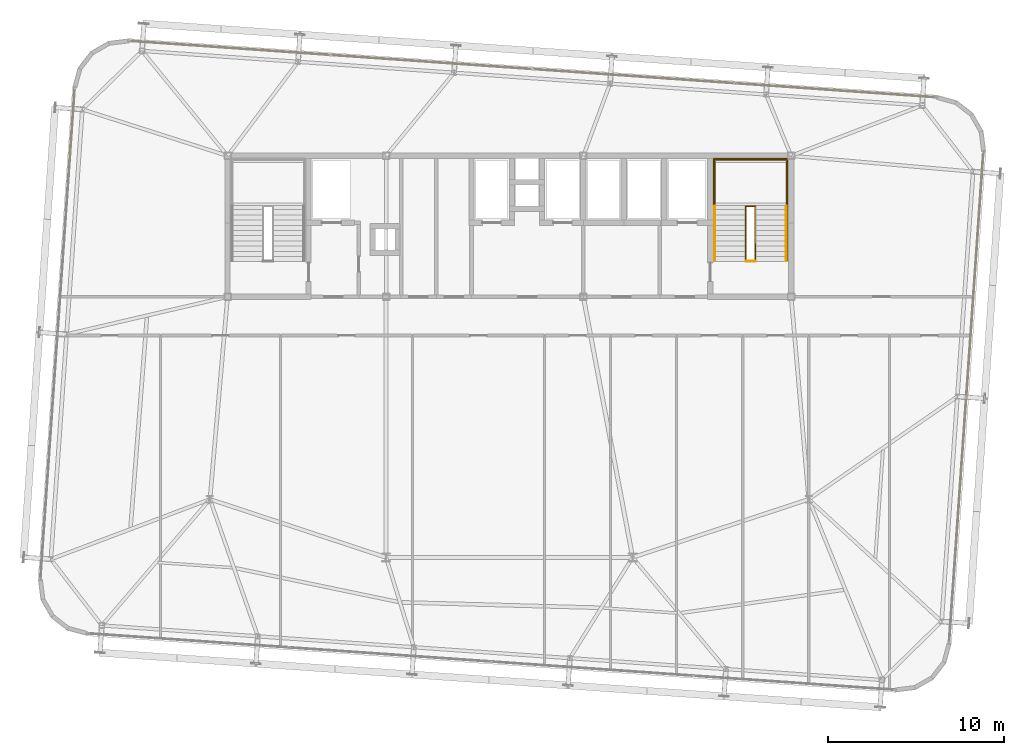
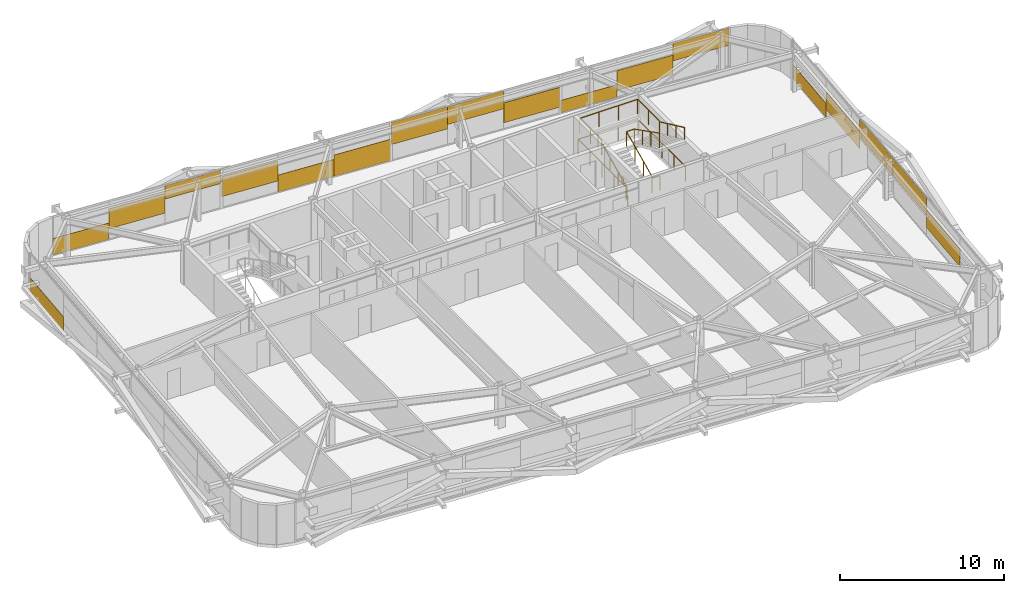
# One storey, part 39 of 39: 18 coverings, 6 railings.
"""IFC4 building model written with IfcOpenShell, lengths in metres."""

from ifc_helpers import new_model, si_unit, direction, frame, origin, origin_2d, place, context, subcontext, project, spatial, rectangle, extrude, source, transform, mapped, material, layer, layer_set, type_object, element, save


model = new_model("IFC4")

# Units and contexts
model_context = context("Model", 3, precision=1e-05, world=origin(), true_north=direction((0.0, 1.0)))
body_context = subcontext(model_context, "Body", "Model", "MODEL_VIEW")
ifc_project = project(units=[si_unit("LENGTHUNIT", "METRE"), si_unit("AREAUNIT", "SQUARE_METRE"), si_unit("VOLUMEUNIT", "CUBIC_METRE"), si_unit("PLANEANGLEUNIT", "RADIAN"), si_unit("MASSUNIT", "GRAM", prefix="KILO")], contexts=[model_context])

# Site, building, storey
site_placement = place(None, origin())
site = spatial("IfcSite", under=ifc_project, at=site_placement, CompositionType="ELEMENT")
building_placement = place(site_placement, origin())
building = spatial("IfcBuilding", under=site, at=building_placement, Name="Taldren Reach Tower", CompositionType="ELEMENT")
storey_placement = place(building_placement, frame((0.0, 0.0, 133.0)))
storey = spatial("IfcBuildingStorey", under=building, at=storey_placement, Name="L40", CompositionType="ELEMENT", Elevation=133.0)

# Railings
ifc_material_1 = material(Name="Steel Gr 350 (C350L0)", Category="steel")
ifc_layer_1 = layer(ifc_material_1, 0.050048828125)
ifc_layer_set_1 = layer_set([ifc_layer_1], Name="Steel Gr 350 (C350L0)")
railing_type_1 = type_object("IfcRailingType", Name="RL-STAIR-GR", PredefinedType="GUARDRAIL", material=ifc_layer_set_1)
railing_1_placement = place(storey_placement, frame((46.659912109375, 29.135009765625, 1.574951171875)))
element("IfcRailing", 1, at=railing_1_placement, inside=storey, type_object=railing_type_1, Name="Stair half-landing perimeter guard ST2-L40", PredefinedType="GUARDRAIL", context=body_context, shape_type="SweptSolid", body=[
    extrude(rectangle(XDim=0.047852, YDim=0.047852, at=origin_2d()), frame((0.0, 0.0, 1.09619140625), z_axis=(0.0, 1.0, 0.0), x_axis=(-1.0, 0.0, 0.0)), (0.0, 0.0, 1.0), 2.64501953125),
    extrude(rectangle(XDim=0.047852, YDim=0.047852, at=origin_2d()), frame((0.0, 2.64501953125, 1.09619140625), z_axis=(1.0, 0.0, 0.0), x_axis=(0.0, 1.0, 0.0)), (0.0, 0.0, 1.0), 4.080078125),
    extrude(rectangle(XDim=0.047852, YDim=0.047852, at=origin_2d()), frame((4.080078125, 2.64501953125, 1.09619140625), z_axis=(0.0, -1.0, 0.0), x_axis=(1.0, 0.0, 0.0)), (0.0, 0.0, 1.0), 2.64501953125),
    extrude(rectangle(XDim=0.041992, YDim=0.041992, at=origin_2d()), origin(), (0.0, 0.0, 1.0), 1.072021484375),
    extrude(rectangle(XDim=0.041992, YDim=0.041992, at=origin_2d()), frame((0.0, 1.322509765625, 0.0)), (0.0, 0.0, 1.0), 1.072021484375),
    extrude(rectangle(XDim=0.041992, YDim=0.041992, at=origin_2d()), frame((0.0, 2.64501953125, 0.0)), (0.0, 0.0, 1.0), 1.072021484375),
    extrude(rectangle(XDim=0.041992, YDim=0.041992, at=origin_2d()), frame((1.360107421875, 2.64501953125, 0.0)), (0.0, 0.0, 1.0), 1.072021484375),
    extrude(rectangle(XDim=0.041992, YDim=0.041992, at=origin_2d()), frame((2.719970703125, 2.64501953125, 0.0)), (0.0, 0.0, 1.0), 1.072021484375),
    extrude(rectangle(XDim=0.041992, YDim=0.041992, at=origin_2d()), frame((4.080078125, 2.64501953125, 0.0)), (0.0, 0.0, 1.0), 1.072021484375),
    extrude(rectangle(XDim=0.041992, YDim=0.041992, at=origin_2d()), frame((4.080078125, 1.322509765625, 0.0)), (0.0, 0.0, 1.0), 1.072021484375),
    extrude(rectangle(XDim=0.041992, YDim=0.041992, at=origin_2d()), frame((4.080078125, 0.0, 0.0)), (0.0, 0.0, 1.0), 1.072021484375),
])
railing_2_placement = place(storey_placement, frame((48.429931640625, 26.050048828125, 0.131103515625)))
element("IfcRailing", 2, at=railing_2_placement, inside=storey, type_object=railing_type_1, Name="Stairwell inner guard ST2-L40", PredefinedType="GUARDRAIL", context=body_context, shape_type="SweptSolid", body=[
    extrude(rectangle(XDim=0.047852, YDim=0.047852, at=origin_2d()), frame((0.0, 0.0, 1.09619140625), z_axis=(0.0, 0.905710134349, 0.423897573167), x_axis=(-1.0, 0.0, 0.0)), (0.0, 0.0, 1.0), 3.406005859375),
    extrude(rectangle(XDim=0.047852, YDim=0.047852, at=origin_2d()), frame((0.0, 3.0849609375, 2.5400390625), z_axis=(1.0, 0.0, 0.0), x_axis=(0.0, 1.0, 0.0)), (0.0, 0.0, 1.0), 0.5400390625),
    extrude(rectangle(XDim=0.047852, YDim=0.047852, at=origin_2d()), frame((0.5400390625, 3.0849609375, 2.5400390625), z_axis=(0.0, -0.890645957773, 0.45469745755), x_axis=(1.0, 0.0, 0.0)), (0.0, 0.0, 1.0), 3.463623046875),
    extrude(rectangle(XDim=0.041992, YDim=0.041992, at=origin_2d()), origin(), (0.0, 0.0, 1.0), 1.072021484375),
    extrude(rectangle(XDim=0.041992, YDim=0.041992, at=origin_2d()), frame((0.0, 1.0283203125, 0.481201171875)), (0.0, 0.0, 1.0), 1.072021484375),
    extrude(rectangle(XDim=0.041992, YDim=0.041992, at=origin_2d()), frame((0.0, 2.056640625, 0.962646484375)), (0.0, 0.0, 1.0), 1.072021484375),
    extrude(rectangle(XDim=0.041992, YDim=0.041992, at=origin_2d()), frame((0.0, 3.0849609375, 1.44384765625)), (0.0, 0.0, 1.0), 1.072021484375),
    extrude(rectangle(XDim=0.041992, YDim=0.041992, at=origin_2d()), frame((0.5400390625, 3.0849609375, 1.44384765625)), (0.0, 0.0, 1.0), 1.072021484375),
    extrude(rectangle(XDim=0.041992, YDim=0.041992, at=origin_2d()), frame((0.5400390625, 2.056640625, 1.96875)), (0.0, 0.0, 1.0), 1.072021484375),
    extrude(rectangle(XDim=0.041992, YDim=0.041992, at=origin_2d()), frame((0.5400390625, 1.0283203125, 2.493896484375)), (0.0, 0.0, 1.0), 1.072021484375),
    extrude(rectangle(XDim=0.041992, YDim=0.041992, at=origin_2d()), frame((0.5400390625, 0.0, 3.018798828125)), (0.0, 0.0, 1.0), 1.072021484375),
])
railing_3_placement = place(storey_placement, frame((48.429931640625, 26.010009765625, 0.0)))
element("IfcRailing", 3, at=railing_3_placement, inside=storey, type_object=railing_type_1, Name="Stairwell landing slot guard ST2-L40", PredefinedType="GUARDRAIL", context=body_context, shape_type="SweptSolid", body=[
    extrude(rectangle(XDim=0.047852, YDim=0.047852, at=origin_2d()), frame((0.0, 0.0, 1.09619140625), z_axis=(1.0, 0.0, 0.0), x_axis=(0.0, 1.0, 0.0)), (0.0, 0.0, 1.0), 0.5400390625),
    extrude(rectangle(XDim=0.041992, YDim=0.041992, at=origin_2d()), origin(), (0.0, 0.0, 1.0), 1.072021484375),
    extrude(rectangle(XDim=0.041992, YDim=0.041992, at=origin_2d()), frame((0.5400390625, 0.0, 0.0)), (0.0, 0.0, 1.0), 1.072021484375),
])
railing_4_placement = place(storey_placement, frame((46.590087890625, 26.050048828125, 0.0)))
element("IfcRailing", 4, at=railing_4_placement, inside=storey, type_object=railing_type_1, Name="Stairwell floor opening guard ST2-L40", PredefinedType="GUARDRAIL", context=body_context, shape_type="SweptSolid", body=[
    extrude(rectangle(XDim=0.047852, YDim=0.047852, at=origin_2d()), frame((0.0, 0.0, 1.09619140625), z_axis=(0.0, 1.0, 0.0), x_axis=(-1.0, 0.0, 0.0)), (0.0, 0.0, 1.0), 5.800048828125),
    extrude(rectangle(XDim=0.047852, YDim=0.047852, at=origin_2d()), frame((0.0, 5.800048828125, 1.09619140625), z_axis=(1.0, 0.0, 0.0), x_axis=(0.0, 1.0, 0.0)), (0.0, 0.0, 1.0), 4.219970703125),
    extrude(rectangle(XDim=0.047852, YDim=0.047852, at=origin_2d()), frame((4.219970703125, 5.800048828125, 1.09619140625), z_axis=(0.0, -1.0, 0.0), x_axis=(1.0, 0.0, 0.0)), (0.0, 0.0, 1.0), 5.800048828125),
    extrude(rectangle(XDim=0.041992, YDim=0.041992, at=origin_2d()), origin(), (0.0, 0.0, 1.0), 1.072021484375),
    extrude(rectangle(XDim=0.041992, YDim=0.041992, at=origin_2d()), frame((0.0, 1.449951171875, 0.0)), (0.0, 0.0, 1.0), 1.072021484375),
    extrude(rectangle(XDim=0.041992, YDim=0.041992, at=origin_2d()), frame((0.0, 2.89990234375, 0.0)), (0.0, 0.0, 1.0), 1.072021484375),
    extrude(rectangle(XDim=0.041992, YDim=0.041992, at=origin_2d()), frame((0.0, 4.35009765625, 0.0)), (0.0, 0.0, 1.0), 1.072021484375),
    extrude(rectangle(XDim=0.041992, YDim=0.041992, at=origin_2d()), frame((0.0, 5.800048828125, 0.0)), (0.0, 0.0, 1.0), 1.072021484375),
    extrude(rectangle(XDim=0.041992, YDim=0.041992, at=origin_2d()), frame((1.40673828125, 5.800048828125, 0.0)), (0.0, 0.0, 1.0), 1.072021484375),
    extrude(rectangle(XDim=0.041992, YDim=0.041992, at=origin_2d()), frame((2.813232421875, 5.800048828125, 0.0)), (0.0, 0.0, 1.0), 1.072021484375),
    extrude(rectangle(XDim=0.041992, YDim=0.041992, at=origin_2d()), frame((4.219970703125, 5.800048828125, 0.0)), (0.0, 0.0, 1.0), 1.072021484375),
    extrude(rectangle(XDim=0.041992, YDim=0.041992, at=origin_2d()), frame((4.219970703125, 4.35009765625, 0.0)), (0.0, 0.0, 1.0), 1.072021484375),
    extrude(rectangle(XDim=0.041992, YDim=0.041992, at=origin_2d()), frame((4.219970703125, 2.89990234375, 0.0)), (0.0, 0.0, 1.0), 1.072021484375),
    extrude(rectangle(XDim=0.041992, YDim=0.041992, at=origin_2d()), frame((4.219970703125, 1.449951171875, 0.0)), (0.0, 0.0, 1.0), 1.072021484375),
    extrude(rectangle(XDim=0.041992, YDim=0.041992, at=origin_2d()), frame((4.219970703125, 0.0, 0.0)), (0.0, 0.0, 1.0), 1.072021484375),
])
ifc_material_2 = material(Name="Stainless Steel Gr 316", Category="steel")
ifc_layer_2 = layer(ifc_material_2, 0.048095703125)
ifc_layer_set_2 = layer_set([ifc_layer_2], Name="Stainless Steel Gr 316")
railing_type_2 = type_object("IfcRailingType", Name="RL-STAIR-HR", PredefinedType="HANDRAIL", material=ifc_layer_set_2)
railing_5_placement = place(storey_placement, frame((46.669921875, 26.050048828125, 0.131103515625)))
element("IfcRailing", 5, at=railing_5_placement, inside=storey, type_object=railing_type_2, Name="Stair flight handrail ST2-L40-1", PredefinedType="HANDRAIL", context=body_context, shape_type="SweptSolid", body=[
    extrude(rectangle(XDim=0.047852, YDim=0.047852, at=origin_2d()), frame((0.0, 0.0, 0.89599609375), z_axis=(0.0, 0.905710134349, 0.423897573167), x_axis=(-1.0, 0.0, 0.0)), (0.0, 0.0, 1.0), 3.406005859375),
    extrude(rectangle(XDim=0.041992, YDim=0.041992, at=origin_2d()), origin(), (0.0, 0.0, 1.0), 0.871826171875),
    extrude(rectangle(XDim=0.041992, YDim=0.041992, at=origin_2d()), frame((0.0, 1.0283203125, 0.481201171875)), (0.0, 0.0, 1.0), 0.871826171875),
    extrude(rectangle(XDim=0.041992, YDim=0.041992, at=origin_2d()), frame((0.0, 2.056640625, 0.962646484375)), (0.0, 0.0, 1.0), 0.871826171875),
    extrude(rectangle(XDim=0.041992, YDim=0.041992, at=origin_2d()), frame((0.0, 3.0849609375, 1.44384765625)), (0.0, 0.0, 1.0), 0.871826171875),
])
railing_6_placement = place(storey_placement, frame((50.72998046875, 29.135009765625, 1.706298828125)))
element("IfcRailing", 6, at=railing_6_placement, inside=storey, type_object=railing_type_2, Name="Stair flight handrail ST2-L40-2", PredefinedType="HANDRAIL", context=body_context, shape_type="SweptSolid", body=[
    extrude(rectangle(XDim=0.047852, YDim=0.047852, at=origin_2d()), frame((0.0, 0.0, 0.89599609375), z_axis=(0.0, -0.905737652094, 0.423838773095), x_axis=(1.0, 0.0, 0.0)), (0.0, 0.0, 1.0), 3.406005859375),
    extrude(rectangle(XDim=0.041992, YDim=0.041992, at=origin_2d()), origin(), (0.0, 0.0, 1.0), 0.871826171875),
    extrude(rectangle(XDim=0.041992, YDim=0.041992, at=origin_2d()), frame((0.0, -1.0283203125, 0.481201171875)), (0.0, 0.0, 1.0), 0.871826171875),
    extrude(rectangle(XDim=0.041992, YDim=0.041992, at=origin_2d()), frame((0.0, -2.056640625, 0.96240234375)), (0.0, 0.0, 1.0), 0.871826171875),
    extrude(rectangle(XDim=0.041992, YDim=0.041992, at=origin_2d()), frame((0.0, -3.0849609375, 1.443603515625)), (0.0, 0.0, 1.0), 0.871826171875),
])

# Coverings
ifc_material_3 = material(Name="Pale Champagne Fluoropolymer Aluminium Spandrel Cladding", Category="aluminium")
ifc_layer_3 = layer(ifc_material_3, 0.0439453125)
ifc_layer_set_3 = layer_set([ifc_layer_3], Name="Pale Champagne Fluoropolymer Aluminium Spandrel Cladding")
covering_type = type_object("IfcCoveringType", Name="CV-CLAD-044", PredefinedType="CLADDING", material=ifc_layer_set_3)
shared_shape_1 = source(origin(), body_context, "Body", "SweptSolid", [
    extrude(rectangle(XDim=3.79833984375, YDim=0.0439453125, at=origin_2d()), origin(), (0.0, 0.0, 1.0), 1.22216796875),
])
covering_1_placement = place(storey_placement, frame((15.346435546875, 38.385986328125, 0.054931640625), z_axis=(0.0, 0.0, 1.0), x_axis=(-0.99756404731, 0.06975651593, 0.0)))
element("IfcCovering", 7, at=covering_1_placement, inside=storey, type_object=covering_type, Name="Diagrid closure cladding strip CW-4 panel 4.1 3", PredefinedType="CLADDING", context=body_context, shape_type="MappedRepresentation", body=[
    mapped(shared_shape_1, transform((0.0, 0.0, 0.0), scale=1.0)),
])
shared_shape_2 = source(origin(), body_context, "Body", "SweptSolid", [
    extrude(rectangle(XDim=3.79833984375, YDim=0.0439453125, at=origin_2d()), origin(), (0.0, 0.0, 1.0), 1.474365234375),
])
for number, where, z_axis, x_axis, name in (
    (8, (53.5166015625, 35.716796875, 0.5537109375), (0.0, 0.0, 1.0), (-0.99756404731, 0.06975651593, 0.0), "Diagrid closure cladding strip CW-4 panel 1.1 2"),
    (9, (19.135498046875, 38.12109375, 0.84228515625), (0.0, 0.0, 1.0), (-0.99756404731, 0.06975651593, 0.0), "Diagrid closure cladding strip CW-4 panel 4.1 2"),
):
    element("IfcCovering", number, at=place(storey_placement, frame(where, z_axis=z_axis, x_axis=x_axis)), inside=storey, type_object=covering_type, Name=name, PredefinedType="CLADDING", context=body_context, shape_type="MappedRepresentation", body=[
        mapped(shared_shape_2, transform((0.0, 0.0, 0.0), scale=1.0)),
    ])
shared_shape_3 = source(origin(), body_context, "Body", "SweptSolid", [
    extrude(rectangle(XDim=3.79833984375, YDim=0.0439453125, at=origin_2d()), origin(), (0.0, 0.0, 1.0), 0.993408203125),
])
covering_2_placement = place(storey_placement, frame((22.924560546875, 37.85595703125, 1.88134765625), z_axis=(0.0, 0.0, 1.0), x_axis=(-0.99756404731, 0.06975651593, 0.0)))
element("IfcCovering", 10, at=covering_2_placement, inside=storey, type_object=covering_type, Name="Diagrid closure cladding strip CW-4 panel 4.1 1", PredefinedType="CLADDING", context=body_context, shape_type="MappedRepresentation", body=[
    mapped(shared_shape_3, transform((0.0, 0.0, 0.0), scale=1.0)),
])
shared_shape_4 = source(origin(), body_context, "Body", "SweptSolid", [
    extrude(rectangle(XDim=3.81005859375, YDim=0.0439453125, at=origin_2d()), origin(), (0.0, 0.0, 1.0), 1.477783203125),
])
for number, where, z_axis, x_axis, name in (
    (11, (45.86279296875, 36.251953125, 0.51025390625), (0.0, 0.0, 1.0), (-0.99756404731, 0.06975651593, 0.0), "Diagrid closure cladding strip CW-4 panel 2.1 1"),
    (12, (26.789306640625, 37.585693359375, 0.88232421875), (0.0, 0.0, 1.0), (-0.99756404731, 0.06975651593, 0.0), "Diagrid closure cladding strip CW-4 panel 3.1 3"),
):
    element("IfcCovering", number, at=place(storey_placement, frame(where, z_axis=z_axis, x_axis=x_axis)), inside=storey, type_object=covering_type, Name=name, PredefinedType="CLADDING", context=body_context, shape_type="MappedRepresentation", body=[
        mapped(shared_shape_4, transform((0.0, 0.0, 0.0), scale=1.0)),
    ])
shared_shape_5 = source(origin(), body_context, "Body", "SweptSolid", [
    extrude(rectangle(XDim=3.81005859375, YDim=0.0439453125, at=origin_2d()), origin(), (0.0, 0.0, 1.0), 1.26220703125),
])
covering_3_placement = place(storey_placement, frame((30.590087890625, 37.320068359375, 0.05517578125), z_axis=(0.0, 0.0, 1.0), x_axis=(-0.99756404731, 0.06975651593, 0.0)))
element("IfcCovering", 13, at=covering_3_placement, inside=storey, type_object=covering_type, Name="Diagrid closure cladding strip CW-4 panel 3.1 2", PredefinedType="CLADDING", context=body_context, shape_type="MappedRepresentation", body=[
    mapped(shared_shape_5, transform((0.0, 0.0, 0.0), scale=1.0)),
])
shared_shape_6 = source(origin(), body_context, "Body", "SweptSolid", [
    extrude(rectangle(XDim=3.81005859375, YDim=0.0439453125, at=origin_2d()), origin(), (0.0, 0.0, 1.0), 1.587890625),
])
covering_4_placement = place(storey_placement, frame((34.390869140625, 37.05419921875, 0.054931640625), z_axis=(0.0, 0.0, 1.0), x_axis=(-0.99756404731, 0.06975651593, 0.0)))
element("IfcCovering", 14, at=covering_4_placement, inside=storey, type_object=covering_type, Name="Diagrid closure cladding strip CW-4 panel 3.1 1", PredefinedType="CLADDING", context=body_context, shape_type="MappedRepresentation", body=[
    mapped(shared_shape_6, transform((0.0, 0.0, 0.0), scale=1.0)),
])
shared_shape_7 = source(origin(), body_context, "Body", "SweptSolid", [
    extrude(rectangle(XDim=3.81005859375, YDim=0.0439453125, at=origin_2d()), origin(), (0.0, 0.0, 1.0), 1.64794921875),
])
covering_5_placement = place(storey_placement, frame((38.261474609375, 36.78369140625, 1.22705078125), z_axis=(0.0, 0.0, 1.0), x_axis=(-0.99756404731, 0.06975651593, 0.0)))
element("IfcCovering", 15, at=covering_5_placement, inside=storey, type_object=covering_type, Name="Diagrid closure cladding strip CW-4 panel 2.1 3", PredefinedType="CLADDING", context=body_context, shape_type="MappedRepresentation", body=[
    mapped(shared_shape_7, transform((0.0, 0.0, 0.0), scale=1.0)),
])
shared_shape_8 = source(origin(), body_context, "Body", "SweptSolid", [
    extrude(rectangle(XDim=3.81005859375, YDim=0.0439453125, at=origin_2d()), origin(), (0.0, 0.0, 1.0), 1.322265625),
])
covering_6_placement = place(storey_placement, frame((42.06201171875, 36.517822265625, 1.552734375), z_axis=(0.0, 0.0, 1.0), x_axis=(-0.99756404731, 0.06975651593, 0.0)))
element("IfcCovering", 16, at=covering_6_placement, inside=storey, type_object=covering_type, Name="Diagrid closure cladding strip CW-4 panel 2.1 2", PredefinedType="CLADDING", context=body_context, shape_type="MappedRepresentation", body=[
    mapped(shared_shape_8, transform((0.0, 0.0, 0.0), scale=1.0)),
])
shared_shape_9 = source(origin(), body_context, "Body", "SweptSolid", [
    extrude(rectangle(XDim=3.79833984375, YDim=0.0439453125, at=origin_2d()), origin(), (0.0, 0.0, 1.0), 0.93359375),
])
covering_7_placement = place(storey_placement, frame((49.7275390625, 35.981689453125, 0.054931640625), z_axis=(0.0, 0.0, 1.0), x_axis=(-0.99756404731, 0.06975651593, 0.0)))
element("IfcCovering", 17, at=covering_7_placement, inside=storey, type_object=covering_type, Name="Diagrid closure cladding strip CW-4 panel 1.1 3", PredefinedType="CLADDING", context=body_context, shape_type="MappedRepresentation", body=[
    mapped(shared_shape_9, transform((0.0, 0.0, 0.0), scale=1.0)),
])
shared_shape_10 = source(origin(), body_context, "Body", "SweptSolid", [
    extrude(rectangle(XDim=3.79833984375, YDim=0.0439453125, at=origin_2d()), origin(), (0.0, 0.0, 1.0), 1.2822265625),
])
covering_8_placement = place(storey_placement, frame((57.3056640625, 35.451904296875, 1.5927734375), z_axis=(0.0, 0.0, 1.0), x_axis=(-0.99756404731, 0.06975651593, 0.0)))
element("IfcCovering", 18, at=covering_8_placement, inside=storey, type_object=covering_type, Name="Diagrid closure cladding strip CW-4 panel 1.1 1", PredefinedType="CLADDING", context=body_context, shape_type="MappedRepresentation", body=[
    mapped(shared_shape_10, transform((0.0, 0.0, 0.0), scale=1.0)),
])
shared_shape_11 = source(origin(), body_context, "Body", "SweptSolid", [
    extrude(rectangle(XDim=4.631591796875, YDim=0.0439453125, at=origin_2d()), origin(), (0.0, 0.0, 1.0), 1.04345703125),
])
for number, where, z_axis, x_axis, name in (
    (19, (10.1630859375, 33.48974609375, 0.054931640625), (0.0, 0.0, 1.0), (-0.069756437251, -0.997564052812, 0.0), "Diagrid closure cladding strip CW-4 panel 1.1 1"),
    (20, (61.757080078125, 29.882080078125, 0.054931640625), (0.0, 0.0, 1.0), (0.069756437251, 0.997564052812, 0.0), "Diagrid closure cladding strip CW-4 panel 2.1 3"),
):
    element("IfcCovering", number, at=place(storey_placement, frame(where, z_axis=z_axis, x_axis=x_axis)), inside=storey, type_object=covering_type, Name=name, PredefinedType="CLADDING", context=body_context, shape_type="MappedRepresentation", body=[
        mapped(shared_shape_11, transform((0.0, 0.0, 0.0), scale=1.0)),
    ])
shared_shape_12 = source(origin(), body_context, "Body", "SweptSolid", [
    extrude(rectangle(XDim=4.631591796875, YDim=0.0439453125, at=origin_2d()), origin(), (0.0, 0.0, 1.0), 1.306640625),
])
for number, where, z_axis, x_axis, name in (
    (21, (60.4599609375, 11.33056640625, 0.671142578125), (0.0, 0.0, 1.0), (0.069756437251, 0.997564052812, 0.0), "Diagrid closure cladding strip CW-4 panel 1.1 2"),
    (22, (61.43408203125, 25.261474609375, 0.671142578125), (0.0, 0.0, 1.0), (0.069756437251, 0.997564052812, 0.0), "Diagrid closure cladding strip CW-4 panel 2.1 2"),
):
    element("IfcCovering", number, at=place(storey_placement, frame(where, z_axis=z_axis, x_axis=x_axis)), inside=storey, type_object=covering_type, Name=name, PredefinedType="CLADDING", context=body_context, shape_type="MappedRepresentation", body=[
        mapped(shared_shape_12, transform((0.0, 0.0, 0.0), scale=1.0)),
    ])
shared_shape_13 = source(origin(), body_context, "Body", "SweptSolid", [
    extrude(rectangle(XDim=4.631591796875, YDim=0.0439453125, at=origin_2d()), origin(), (0.0, 0.0, 1.0), 1.32470703125),
])
for number, where, z_axis, x_axis, name in (
    (23, (60.782958984375, 15.950927734375, 1.55029296875), (0.0, 0.0, 1.0), (0.069756437251, 0.997564052812, 0.0), "Diagrid closure cladding strip CW-4 panel 1.1 3"),
    (24, (61.111083984375, 20.64111328125, 1.55029296875), (0.0, 0.0, 1.0), (0.069756437251, 0.997564052812, 0.0), "Diagrid closure cladding strip CW-4 panel 2.1 1"),
):
    element("IfcCovering", number, at=place(storey_placement, frame(where, z_axis=z_axis, x_axis=x_axis)), inside=storey, type_object=covering_type, Name=name, PredefinedType="CLADDING", context=body_context, shape_type="MappedRepresentation", body=[
        mapped(shared_shape_13, transform((0.0, 0.0, 0.0), scale=1.0)),
    ])

save(model, "model.ifc")
